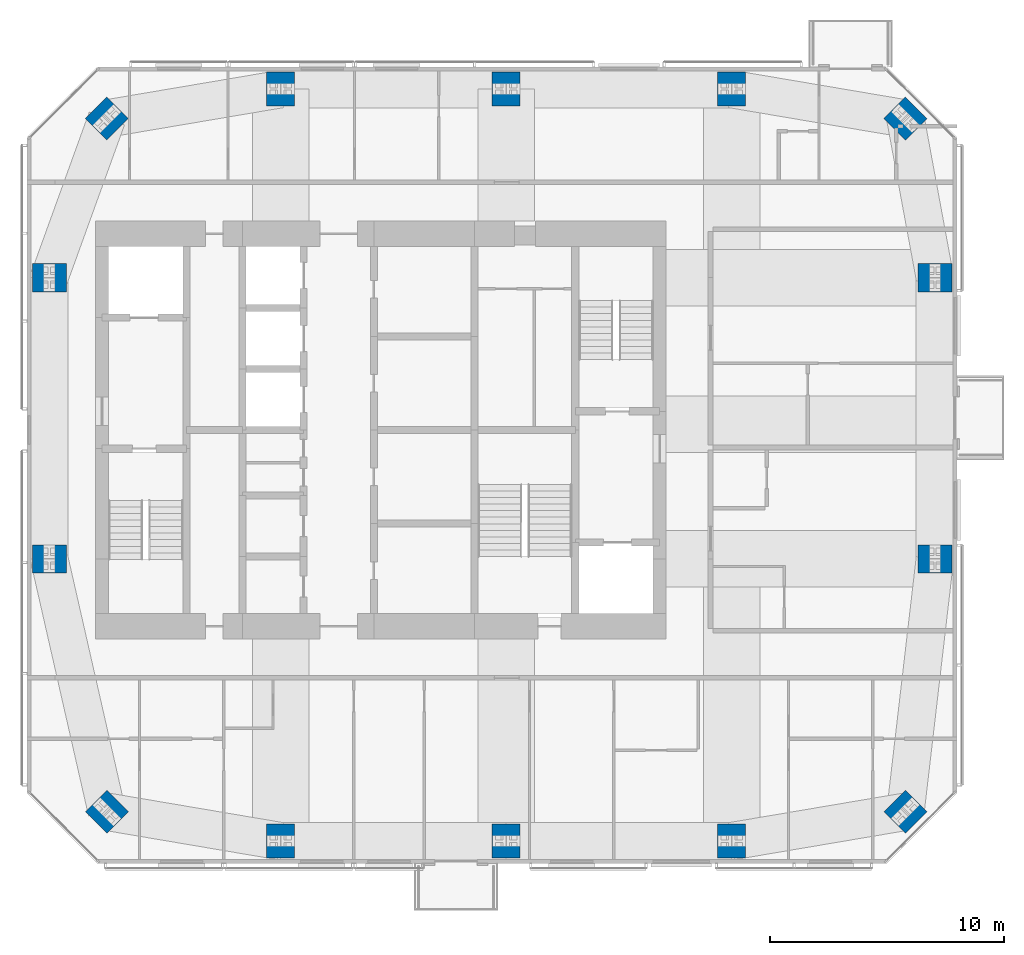
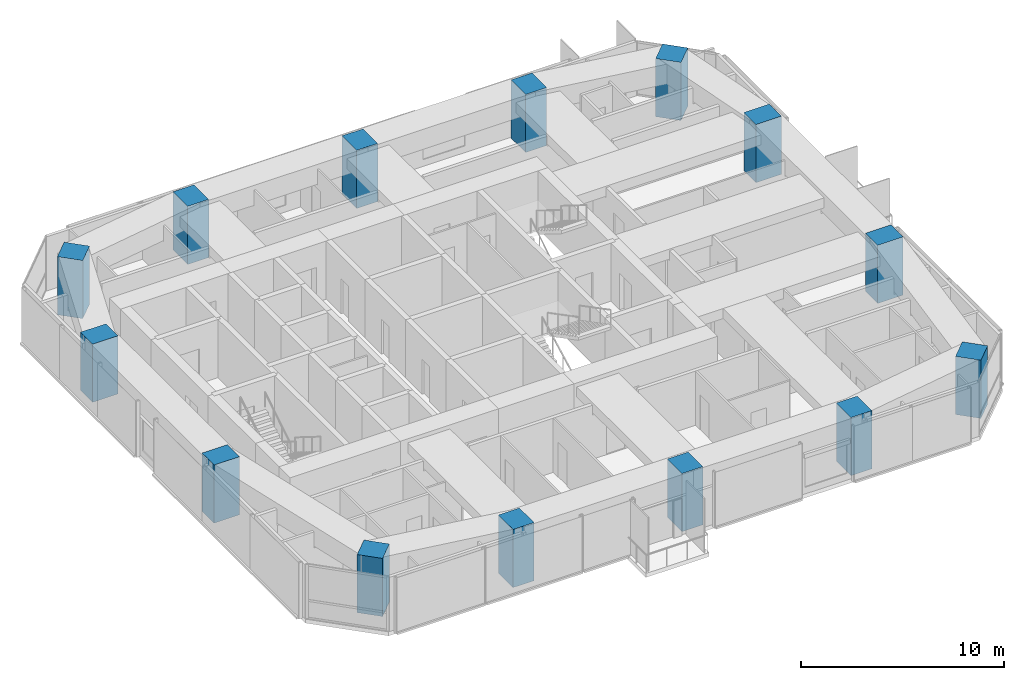
# One storey, part 1 of 18: 14 columns.
"""IFC4 building model written with IfcOpenShell, lengths in metres."""

from ifc_helpers import new_model, si_unit, direction, frame, origin, origin_2d, place, context, subcontext, project, spatial, rectangle, extrude, material, material_profile, profile_set, type_object, element, save


model = new_model("IFC4")

# Units and contexts
model_context = context("Model", 3, precision=1e-05, world=origin(), true_north=direction((0.0, 1.0)))
body_context = subcontext(model_context, "Body", "Model", "MODEL_VIEW")
ifc_project = project(units=[si_unit("LENGTHUNIT", "METRE"), si_unit("AREAUNIT", "SQUARE_METRE"), si_unit("VOLUMEUNIT", "CUBIC_METRE"), si_unit("PLANEANGLEUNIT", "RADIAN"), si_unit("MASSUNIT", "GRAM", prefix="KILO")], contexts=[model_context])

# Site, building, storey
site_placement = place(None, origin())
site = spatial("IfcSite", under=ifc_project, at=site_placement, CompositionType="ELEMENT")
building_placement = place(site_placement, origin())
building = spatial("IfcBuilding", under=site, at=building_placement, Name="Jalousie Tower", CompositionType="ELEMENT")
storey_placement = place(building_placement, frame((0.0, 0.0, 252.949951171875)))
storey = spatial("IfcBuildingStorey", under=building, at=storey_placement, Name="L69", CompositionType="ELEMENT", Elevation=252.949951171875)

# Columns
ifc_material_1 = material(Name="Concrete f'c 120 MPa", Category="concrete")
ifc_material_profile_1 = material_profile(ifc_material_1, rectangle(XDim=1.300048828125, YDim=1.300048828125, at=origin_2d()), Name="RC 1300x1300")
ifc_profile_set_1 = profile_set([ifc_material_profile_1], Name="Concrete f'c 120 MPa")
column_type_1 = type_object("IfcColumnType", Name="RC COLUMN 1300x1300", PredefinedType="COLUMN", material=ifc_profile_set_1)
for number, where, z_axis, x_axis, name in (
    (1, (20.20703125, 2.20703125, 0.0), (0.0, 0.0, 1.0), (0.707106781187, 0.707106781187, 0.0), "Column 01 L69"),
    (2, (54.29296875, 2.20703125, 0.0), (0.0, 0.0, 1.0), (0.707106781187, 0.707106781187, 0.0), "Column 05 L69"),
    (3, (54.29296875, 31.79296875, 0.0), (0.0, 0.0, 1.0), (0.707106781187, 0.707106781187, 0.0), "Column 08 L69"),
    (4, (20.20703125, 31.79296875, 0.0), (0.0, 0.0, 1.0), (0.707106781187, 0.707106781187, 0.0), "Column 12 L69"),
):
    element("IfcColumn", number, at=place(storey_placement, frame(where, z_axis=z_axis, x_axis=x_axis)), inside=storey, type_object=column_type_1, Name=name, PredefinedType="COLUMN", context=body_context, shape_type="SweptSolid", body=[
        extrude(rectangle(XDim=1.300048828125, YDim=1.300048828125, at=origin_2d()), origin(), (0.0, 0.0, 1.0), 3.5),
    ])
ifc_material_2 = material(Name="Concrete f'c 120 MPa", Category="concrete")
ifc_material_profile_2 = material_profile(ifc_material_2, rectangle(XDim=1.449951171875, YDim=1.199951171875, at=origin_2d()), Name="RC 1450x1200")
ifc_profile_set_2 = profile_set([ifc_material_profile_2], Name="Concrete f'c 120 MPa")
column_type_2 = type_object("IfcColumnType", Name="RC COLUMN 1450x1200", PredefinedType="COLUMN", material=ifc_profile_set_2)
for number, where, z_axis, x_axis, name in (
    (5, (27.625, 0.949951171875, 0.0), (0.0, 0.0, 1.0), (0.0, 1.0, 0.0), "Column 02 L69"),
    (6, (37.25, 0.949951171875, 0.0), (0.0, 0.0, 1.0), (0.0, 1.0, 0.0), "Column 03 L69"),
    (7, (46.875, 0.949951171875, 0.0), (0.0, 0.0, 1.0), (0.0, 1.0, 0.0), "Column 04 L69"),
    (8, (55.550048828125, 13.0, 0.0), (0.0, 0.0, 1.0), (1.0, 0.0, 0.0), "Column 06 L69"),
    (9, (55.550048828125, 25.0, 0.0), (0.0, 0.0, 1.0), (1.0, 0.0, 0.0), "Column 07 L69"),
    (10, (46.875, 33.050048828125, 0.0), (0.0, 0.0, 1.0), (0.0, 1.0, 0.0), "Column 09 L69"),
    (11, (37.25, 33.050048828125, 0.0), (0.0, 0.0, 1.0), (0.0, 1.0, 0.0), "Column 10 L69"),
    (12, (27.625, 33.050048828125, 0.0), (0.0, 0.0, 1.0), (0.0, 1.0, 0.0), "Column 11 L69"),
    (13, (17.75, 25.0, 0.0), (0.0, 0.0, 1.0), (1.0, 0.0, 0.0), "Column 13 L69"),
    (14, (17.75, 13.0, 0.0), (0.0, 0.0, 1.0), (1.0, 0.0, 0.0), "Column 14 L69"),
):
    element("IfcColumn", number, at=place(storey_placement, frame(where, z_axis=z_axis, x_axis=x_axis)), inside=storey, type_object=column_type_2, Name=name, PredefinedType="COLUMN", context=body_context, shape_type="SweptSolid", body=[
        extrude(rectangle(XDim=1.449951171875, YDim=1.199951171875, at=origin_2d()), origin(), (0.0, 0.0, 1.0), 3.5),
    ])

save(model, "model.ifc")
